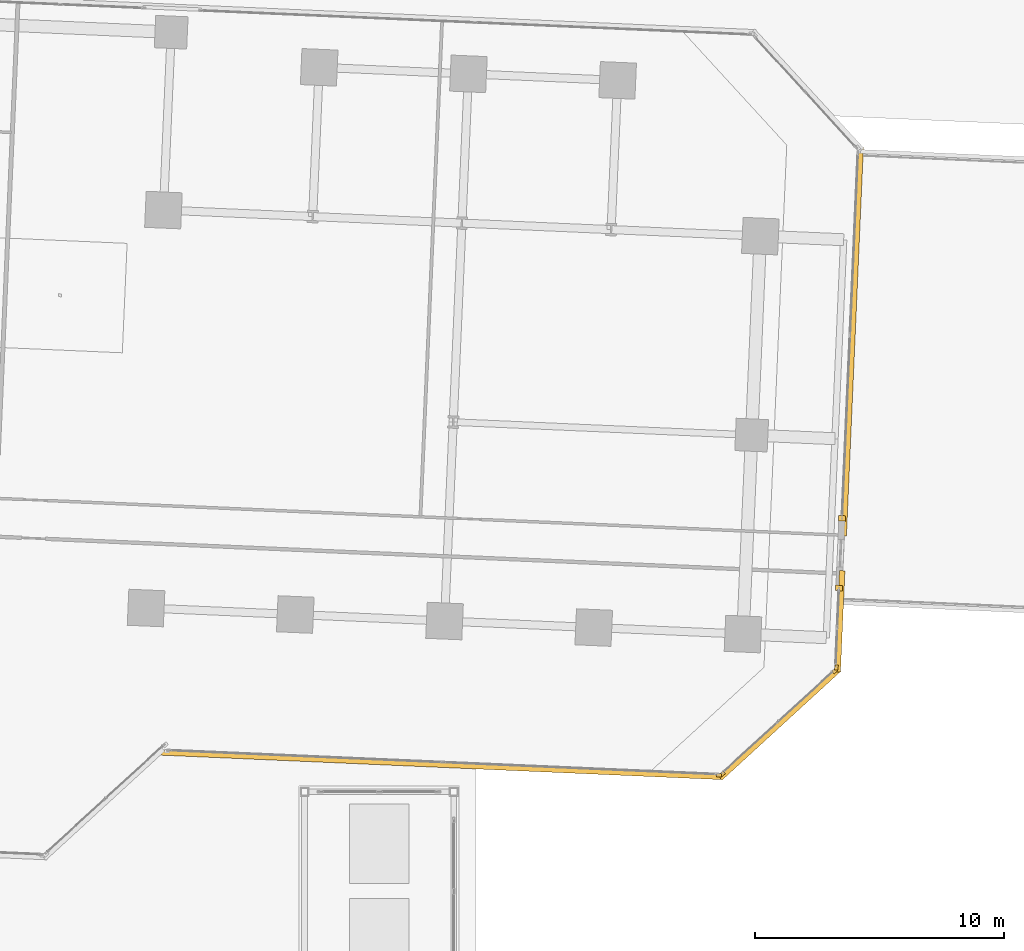
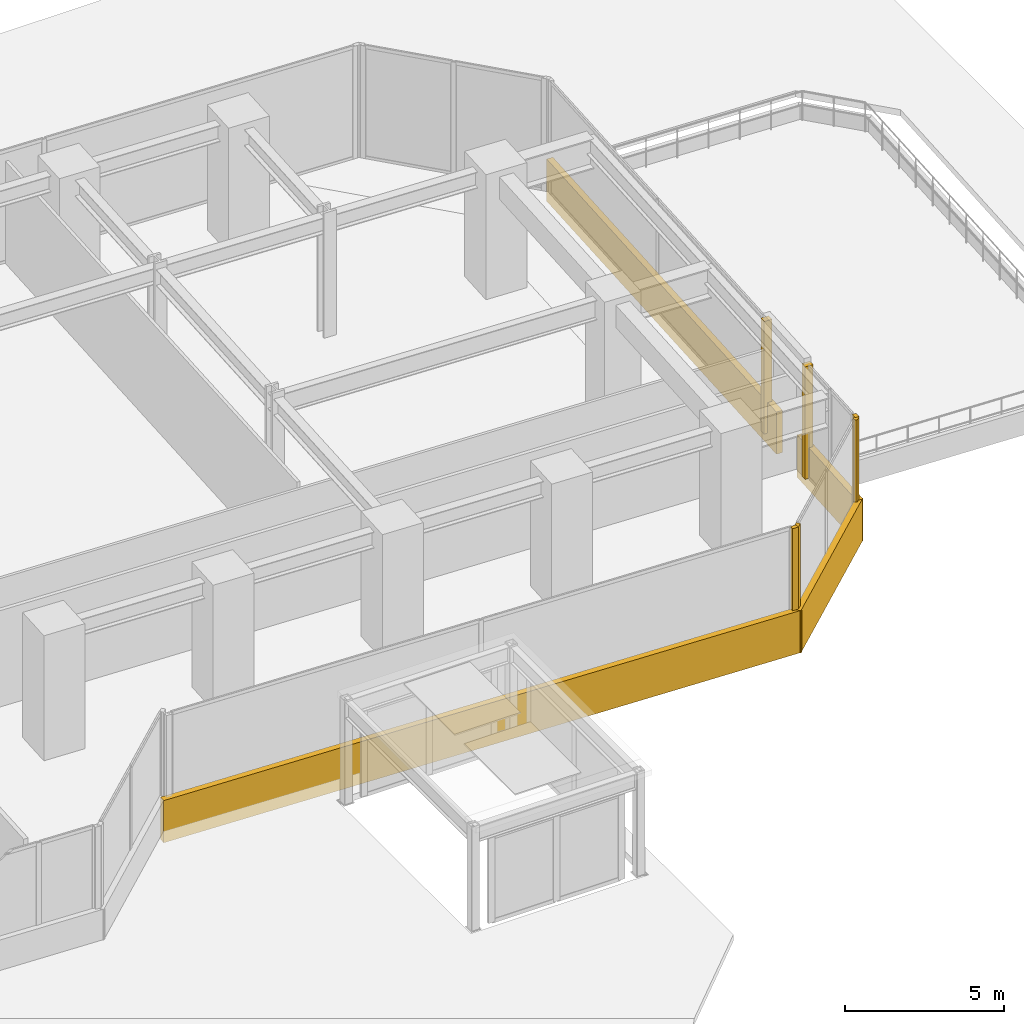
# One storey, part 31 of 33: 10 coverings.
"""IFC4 building model written with IfcOpenShell, lengths in metres."""

from ifc_helpers import new_model, si_unit, direction, frame, origin, origin_2d, place, context, subcontext, project, spatial, rectangle, extrude, source, transform, mapped, material, layer, layer_set, type_object, element, save


model = new_model("IFC4")

# Units and contexts
model_context = context("Model", 3, precision=1e-05, world=origin(), true_north=direction((0.0, 1.0)))
body_context = subcontext(model_context, "Body", "Model", "MODEL_VIEW")
ifc_project = project(units=[si_unit("LENGTHUNIT", "METRE"), si_unit("AREAUNIT", "SQUARE_METRE"), si_unit("VOLUMEUNIT", "CUBIC_METRE"), si_unit("PLANEANGLEUNIT", "RADIAN"), si_unit("MASSUNIT", "GRAM", prefix="KILO")], contexts=[model_context])

# Site, building, storey
site_placement = place(None, origin())
site = spatial("IfcSite", under=ifc_project, at=site_placement, CompositionType="ELEMENT")
building_placement = place(site_placement, origin())
building = spatial("IfcBuilding", under=site, at=building_placement, Name="Torre Montelarca", CompositionType="ELEMENT")
storey_placement = place(building_placement, frame((0.0, 0.0, 32.800048828125)))
storey = spatial("IfcBuildingStorey", under=building, at=storey_placement, Name="L07", CompositionType="ELEMENT", Elevation=32.800048828125)

# Coverings
ifc_material = material(Name="Bush-hammered warm white precast concrete C45/55", Category="concrete")
ifc_layer = layer(ifc_material, 0.139892578125, Name="Bush-hammered warm white precast concrete C45/55", Category="concrete")
ifc_layer_set = layer_set([ifc_layer], Name="Bush-hammered warm white precast concrete C45/55")
covering_type = type_object("IfcCoveringType", Name="COV-TRAY-CLAD", PredefinedType="CLADDING", material=ifc_layer_set)
shared_shape_1 = source(origin(), body_context, "Body", "SweptSolid", [
    extrude(rectangle(XDim=0.199951171875, YDim=0.139892578125, at=origin_2d()), origin(), (0.0, 0.0, 1.0), 4.320068359375),
])
for number, where, z_axis, x_axis, name in (
    (1, (58.650146484375, 16.65478515625, 0.0), (0.0, 0.0, 1.0), (0.99904814545, -0.043621131033, 0.0), "L07 Architectural Column Pier Cladding E04-2"),
    (2, (58.78662109375, 16.70458984375, 0.0), (0.0, 0.0, 1.0), (0.737280874182, 0.675586347231, 0.0), "L07 Architectural Column Pier Cladding E05-1"),
    (3, (63.307861328125, 20.847412109375, 0.0), (0.0, 0.0, 1.0), (0.737280874182, 0.675586347231, 0.0), "L07 Architectural Column Pier Cladding E05-2"),
    (4, (63.369140625, 20.97900390625, 0.0), (0.0, 0.0, 1.0), (0.043621131033, 0.99904814545, 0.0), "L07 Architectural Column Pier Cladding E06-1"),
):
    element("IfcCovering", number, at=place(storey_placement, frame(where, z_axis=z_axis, x_axis=x_axis)), inside=storey, type_object=covering_type, Name=name, PredefinedType="CLADDING", context=body_context, shape_type="MappedRepresentation", body=[
        mapped(shared_shape_1, transform((0.0, 0.0, 0.0), scale=1.0)),
    ])
shared_shape_2 = source(origin(), body_context, "Body", "SweptSolid", [
    extrude(rectangle(XDim=0.219970703125, YDim=0.280029296875, at=origin_2d()), origin(), (0.0, 0.0, 1.0), 4.320068359375),
])
for number, where, z_axis, x_axis, name in (
    (5, (63.46875, 24.177734375, 0.0), (0.0, 0.0, 1.0), (0.043621131033, 0.99904814545, 0.0), "L07 Terrace Portal Jamb Closure Mullion E06-A"),
    (6, (63.5908203125, 26.97509765625, 0.0), (0.0, 0.0, 1.0), (0.043621131033, 0.99904814545, 0.0), "L07 Terrace Portal Jamb Closure Mullion E06-B"),
):
    element("IfcCovering", number, at=place(storey_placement, frame(where, z_axis=z_axis, x_axis=x_axis)), inside=storey, type_object=covering_type, Name=name, PredefinedType="CLADDING", context=body_context, shape_type="MappedRepresentation", body=[
        mapped(shared_shape_2, transform((0.0, 0.0, 0.0), scale=1.0)),
    ])
shared_shape_3 = source(origin(), body_context, "Body", "SweptSolid", [
    extrude(rectangle(XDim=6.48388671875, YDim=0.219970703125, at=origin_2d()), origin(), (0.0, 0.0, 1.0), 1.6201171875),
])
covering_1_placement = place(storey_placement, frame((61.087646484375, 18.731689453125, -0.4501953125), z_axis=(0.0, 0.0, 1.0), x_axis=(0.73727969506, 0.675587634028, 0.0)))
element("IfcCovering", 7, at=covering_1_placement, inside=storey, type_object=covering_type, Name="L07 Architectural White Spandrel Tray Band TRYBOT-05", PredefinedType="CLADDING", context=body_context, shape_type="MappedRepresentation", body=[
    mapped(shared_shape_3, transform((0.0, 0.0, 0.0), scale=1.0)),
])
shared_shape_4 = source(origin(), body_context, "Body", "SweptSolid", [
    extrude(rectangle(XDim=22.6201171875, YDim=0.219970703125, at=origin_2d()), origin(), (0.0, 0.0, 1.0), 1.6201171875),
])
covering_2_placement = place(storey_placement, frame((47.52392578125, 17.080810546875, -0.4501953125), z_axis=(0.0, 0.0, 1.0), x_axis=(0.999048297711, -0.043617643697, 0.0)))
element("IfcCovering", 8, at=covering_2_placement, inside=storey, type_object=covering_type, Name="L07 Architectural White Spandrel Tray Band TRYBOT-04", PredefinedType="CLADDING", context=body_context, shape_type="MappedRepresentation", body=[
    mapped(shared_shape_4, transform((0.0, 0.0, 0.0), scale=1.0)),
])
shared_shape_5 = source(origin(), body_context, "Body", "SweptSolid", [
    extrude(rectangle(XDim=4.075927734375, YDim=0.219970703125, at=origin_2d()), origin(), (0.0, 0.0, 1.0), 1.6201171875),
])
covering_3_placement = place(storey_placement, frame((63.51025390625, 22.8369140625, -0.4501953125), z_axis=(0.0, 0.0, 1.0), x_axis=(0.043619387365, 0.999048221582, 0.0)))
element("IfcCovering", 9, at=covering_3_placement, inside=storey, type_object=covering_type, Name="L07 Architectural White Spandrel Tray Band TRYBOT-06A", PredefinedType="CLADDING", context=body_context, shape_type="MappedRepresentation", body=[
    mapped(shared_shape_5, transform((0.0, 0.0, 0.0), scale=1.0)),
])
shared_shape_6 = source(origin(), body_context, "Body", "SweptSolid", [
    extrude(rectangle(XDim=15.64404296875, YDim=0.219970703125, at=origin_2d()), origin(), (0.0, 0.0, 1.0), 1.6201171875),
])
covering_4_placement = place(storey_placement, frame((64.00146484375, 34.086181640625, -0.4501953125), z_axis=(0.0, 0.0, 1.0), x_axis=(0.043619387365, 0.999048221582, 0.0)))
element("IfcCovering", 10, at=covering_4_placement, inside=storey, type_object=covering_type, Name="L07 Architectural White Spandrel Tray Band TRYBOT-06B", PredefinedType="CLADDING", context=body_context, shape_type="MappedRepresentation", body=[
    mapped(shared_shape_6, transform((0.0, 0.0, 0.0), scale=1.0)),
])

save(model, "model.ifc")
